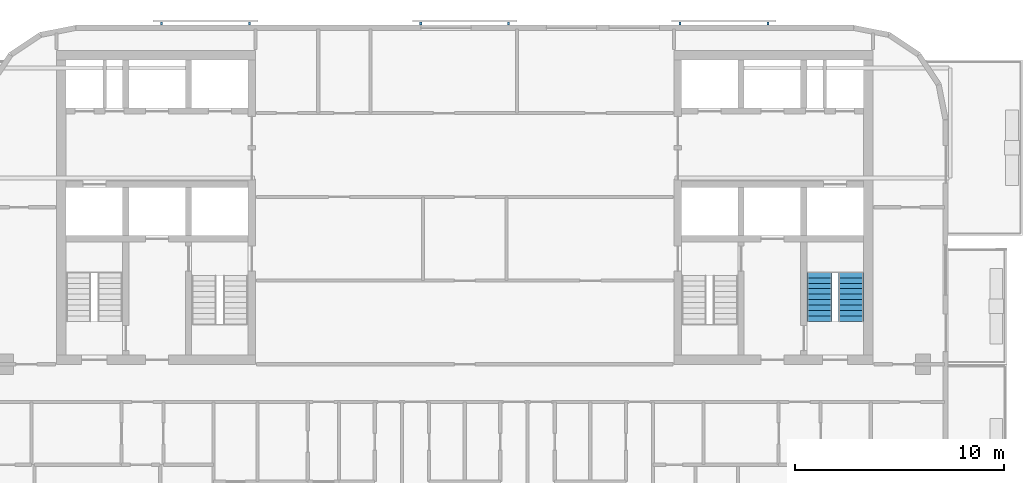
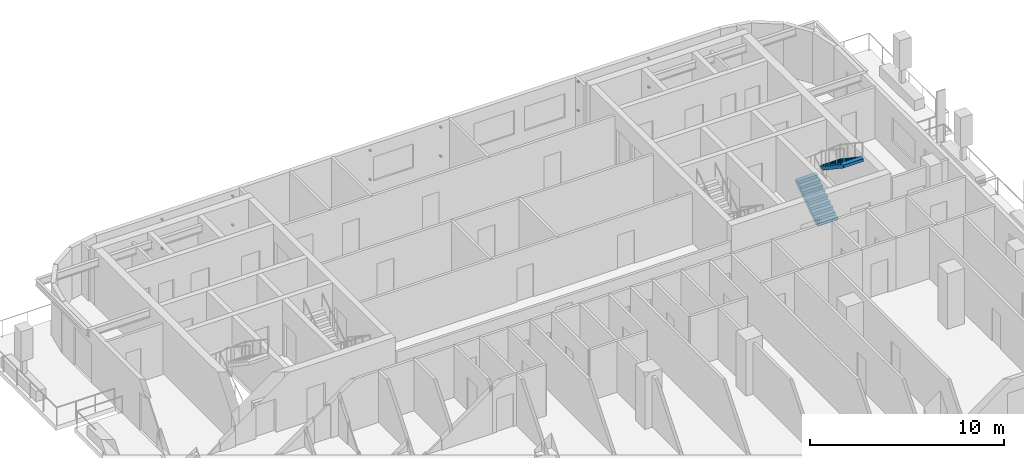
# One storey, part 8 of 11: 12 discrete accessories, 2 stair flights, 1 element without a shape of its own.
"""IFC4 building model written with IfcOpenShell, lengths in metres."""

from ifc_helpers import new_model, si_unit, direction, frame, origin, origin_2d, place, context, subcontext, project, spatial, polyline, rectangle, outline, extrude, material, type_object, element, aggregate, save


model = new_model("IFC4")

# Units and contexts
model_context = context("Model", 3, precision=1e-05, world=origin(), true_north=direction((0.0, 1.0)))
body_context = subcontext(model_context, "Body", "Model", "MODEL_VIEW")
ifc_project = project(units=[si_unit("LENGTHUNIT", "METRE"), si_unit("AREAUNIT", "SQUARE_METRE"), si_unit("VOLUMEUNIT", "CUBIC_METRE"), si_unit("PLANEANGLEUNIT", "RADIAN"), si_unit("MASSUNIT", "GRAM", prefix="KILO")], contexts=[model_context])

# Site, building, storey
site_placement = place(None, origin())
site = spatial("IfcSite", under=ifc_project, at=site_placement, CompositionType="ELEMENT")
building_placement = place(site_placement, origin())
building = spatial("IfcBuilding", under=site, at=building_placement, Name="Torana Hotel and Residences", CompositionType="ELEMENT")
storey_placement = place(building_placement, frame((0.0, 0.0, 252.60009765625)))
storey = spatial("IfcBuildingStorey", under=building, at=storey_placement, Name="L66", CompositionType="ELEMENT", Elevation=252.60009765625)

# Stair, stair flights
ifc_material_1 = material(Name="Concrete C40/50 precast", Category="concrete")
stair_type = type_object("IfcStairType", Name="STAIR ST4 HALF TURN 1200", PredefinedType="HALF_TURN_STAIR", material=ifc_material_1)
stair_placement = place(storey_placement, origin())
stair = element("IfcStair", 1, at=stair_placement, inside=storey, type_object=stair_type, Name="Stair ST4 L66", PredefinedType="HALF_TURN_STAIR")
ifc_material_2 = material(Name="Concrete C40/50 precast", Category="concrete")
stair_flight_type = type_object("IfcStairFlightType", Name="STAIR FLIGHT 1200 PRECAST", PredefinedType="STRAIGHT", material=ifc_material_2)
stair_flight_1_placement = place(storey_placement, frame((16.949951171875, -12.949951171875, 0.0), z_axis=(0.0, 0.0, 1.0), x_axis=(0.0, 1.0, 0.0)))
stair_flight_1 = element("IfcStairFlight", 2, at=stair_flight_1_placement, type_object=stair_flight_type, Name="ST4 flight 1", NumberOfRisers=10, NumberOfTreads=9, PredefinedType="STRAIGHT", RiserHeight=0.175, TreadLength=0.26, context=body_context, shape_type="SweptSolid", body=[
    extrude(outline(polyline([(0.0, 0.0), (0.0, 0.175048828125), (0.260009765625, 0.175048828125), (0.260009765625, 0.35009765625), (0.52001953125, 0.35009765625), (0.52001953125, 0.52490234375), (0.780029296875, 0.52490234375), (0.780029296875, 0.699951171875), (1.0400390625, 0.699951171875), (1.0400390625, 0.875), (1.300048828125, 0.875), (1.300048828125, 1.050048828125), (1.56005859375, 1.050048828125), (1.56005859375, 1.22509765625), (1.820068359375, 1.22509765625), (1.820068359375, 1.39990234375), (2.080078125, 1.39990234375), (2.080078125, 1.574951171875), (2.340087890625, 1.574951171875), (2.340087890625, 1.75), (2.340087890625, 1.394287109375), (0.2685546875, 0.0), (0.0, 0.0)])), frame((0.0, 0.60009765625, 0.0), z_axis=(0.0, -1.0, 0.0), x_axis=(1.0, 0.0, 0.0)), (0.0, 0.0, 1.0), 1.199951171875),
])
stair_flight_2_placement = place(storey_placement, frame((18.449951171875, -10.610107421875, 1.75), z_axis=(0.0, 0.0, 1.0), x_axis=(0.0, -1.0, 0.0)))
stair_flight_2 = element("IfcStairFlight", 3, at=stair_flight_2_placement, type_object=stair_flight_type, Name="ST4 flight 2", NumberOfRisers=10, NumberOfTreads=9, PredefinedType="STRAIGHT", RiserHeight=0.175, TreadLength=0.26, context=body_context, shape_type="SweptSolid", body=[
    extrude(outline(polyline([(0.0, 0.0), (0.0, 0.175048828125), (0.260009765625, 0.175048828125), (0.260009765625, 0.35009765625), (0.52001953125, 0.35009765625), (0.52001953125, 0.52490234375), (0.780029296875, 0.52490234375), (0.780029296875, 0.699951171875), (1.0400390625, 0.699951171875), (1.0400390625, 0.875), (1.300048828125, 0.875), (1.300048828125, 1.050048828125), (1.56005859375, 1.050048828125), (1.56005859375, 1.22509765625), (1.820068359375, 1.22509765625), (1.820068359375, 1.39990234375), (2.080078125, 1.39990234375), (2.080078125, 1.574951171875), (2.340087890625, 1.574951171875), (2.340087890625, 1.75), (2.340087890625, 1.394287109375), (0.2685546875, 0.0), (0.0, 0.0)])), frame((0.0, 0.60009765625, 0.0), z_axis=(0.0, -1.0, 0.0), x_axis=(1.0, 0.0, 0.0)), (0.0, 0.0, 1.0), 1.199951171875),
])
aggregate(stair, [stair_flight_1, stair_flight_2])

# Discrete accessories
ifc_material_3 = material(Name="Steel S355", Category="steel")
discrete_accessory_type = type_object("IfcDiscreteAccessoryType", Name="SCREEN BRACKET 100", PredefinedType="BRACKET", material=ifc_material_3)
for number, where, z_axis, x_axis, name in (
    (4, (14.483642578125, 1.27490234375, 0.749755859375), (0.0, 0.0, 1.0), (-1.0, 0.0, 0.0), "Screen bracket L66"),
    (5, (14.483642578125, 1.27490234375, 2.56982421875), (0.0, 0.0, 1.0), (-1.0, 0.0, 0.0), "Screen bracket L66"),
    (6, (10.28369140625, 1.27490234375, 0.749755859375), (0.0, 0.0, 1.0), (-1.0, 0.0, 0.0), "Screen bracket L66"),
    (7, (10.28369140625, 1.27490234375, 2.56982421875), (0.0, 0.0, 1.0), (-1.0, 0.0, 0.0), "Screen bracket L66"),
    (8, (2.10009765625, 1.27490234375, 0.749755859375), (0.0, 0.0, 1.0), (-1.0, 0.0, 0.0), "Screen bracket L66"),
    (9, (2.10009765625, 1.27490234375, 2.56982421875), (0.0, 0.0, 1.0), (-1.0, 0.0, 0.0), "Screen bracket L66"),
    (10, (-2.10009765625, 1.27490234375, 0.749755859375), (0.0, 0.0, 1.0), (-1.0, 0.0, 0.0), "Screen bracket L66"),
    (11, (-2.10009765625, 1.27490234375, 2.56982421875), (0.0, 0.0, 1.0), (-1.0, 0.0, 0.0), "Screen bracket L66"),
    (12, (-10.28369140625, 1.27490234375, 0.749755859375), (0.0, 0.0, 1.0), (-1.0, 0.0, 0.0), "Screen bracket L66"),
    (13, (-10.28369140625, 1.27490234375, 2.56982421875), (0.0, 0.0, 1.0), (-1.0, 0.0, 0.0), "Screen bracket L66"),
    (14, (-14.483642578125, 1.27490234375, 0.749755859375), (0.0, 0.0, 1.0), (-1.0, 0.0, 0.0), "Screen bracket L66"),
    (15, (-14.483642578125, 1.27490234375, 2.56982421875), (0.0, 0.0, 1.0), (-1.0, 0.0, 0.0), "Screen bracket L66"),
):
    element("IfcDiscreteAccessory", number, at=place(storey_placement, frame(where, z_axis=z_axis, x_axis=x_axis)), inside=storey, type_object=discrete_accessory_type, Name=name, PredefinedType="BRACKET", context=body_context, shape_type="SweptSolid", body=[
        extrude(rectangle(XDim=0.10009765625, YDim=0.14990234375, at=origin_2d()), origin(), (0.0, 0.0, 1.0), 0.10009765625),
    ])

save(model, "model.ifc")
